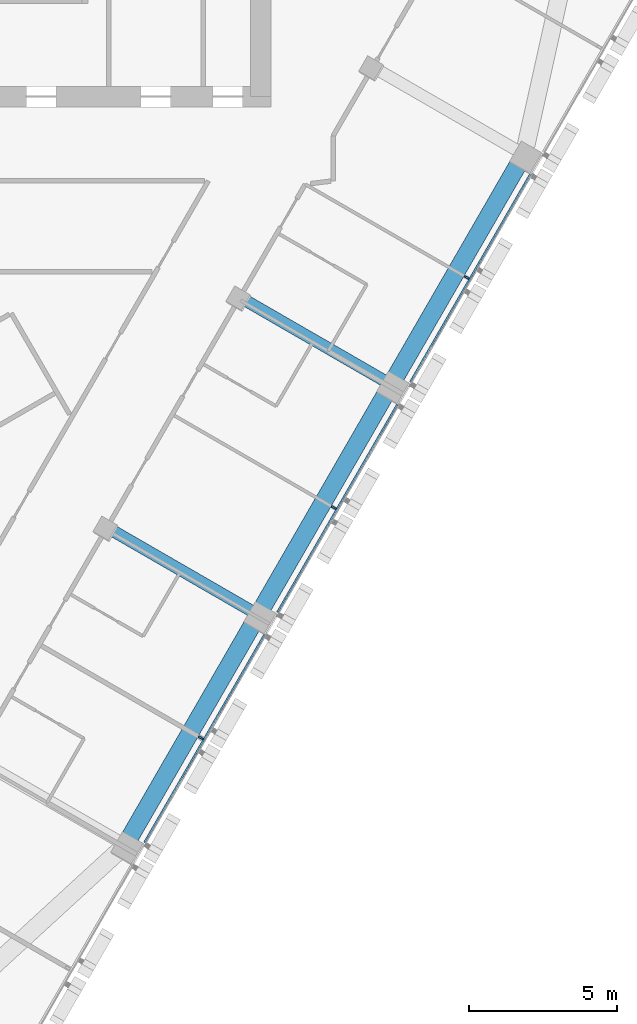
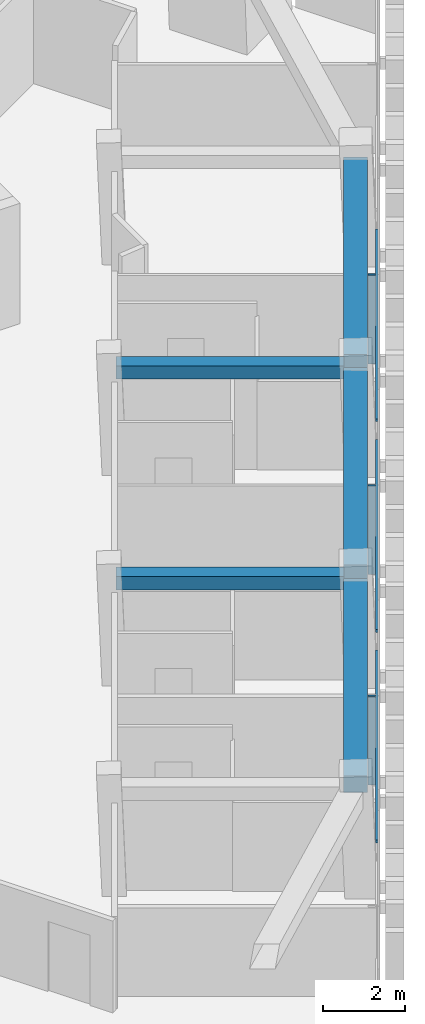
# One storey, part 4 of 15: 6 members, 5 beams, 1 element without a shape of its own.
"""IFC4 building model written with IfcOpenShell, lengths in metres."""

from ifc_helpers import new_model, si_unit, direction, frame, origin, origin_2d, place, context, subcontext, project, spatial, rectangle, extrude, material, layer, layer_set, material_profile, profile_set, type_object, element, aggregate, save


model = new_model("IFC4")

# Units and contexts
model_context = context("Model", 3, precision=1e-05, world=origin(), true_north=direction((0.0, 1.0)))
body_context = subcontext(model_context, "Body", "Model", "MODEL_VIEW")
ifc_project = project(units=[si_unit("LENGTHUNIT", "METRE"), si_unit("AREAUNIT", "SQUARE_METRE"), si_unit("VOLUMEUNIT", "CUBIC_METRE"), si_unit("PLANEANGLEUNIT", "RADIAN"), si_unit("MASSUNIT", "GRAM", prefix="KILO")], contexts=[model_context])

# Site, building, storey
site_placement = place(None, origin())
site = spatial("IfcSite", under=ifc_project, at=site_placement, CompositionType="ELEMENT")
building_placement = place(site_placement, origin())
building = spatial("IfcBuilding", under=site, at=building_placement, Name="Altiplano Prism Tower", CompositionType="ELEMENT")
storey_placement = place(building_placement, frame((0.0, 0.0, 171.0)))
storey = spatial("IfcBuildingStorey", under=building, at=storey_placement, Name="L44", CompositionType="ELEMENT", Elevation=171.0)

# Curtain wall, members
ifc_material_1 = material(Name="Aluminium and glass", Category="aluminium")
ifc_layer = layer(ifc_material_1, 0.280029296875)
ifc_layer_set = layer_set([ifc_layer], Name="Aluminium and glass")
curtain_wall_type = type_object("IfcCurtainWallType", Name="CW1 typical co-living unitised curtain wall", PredefinedType="NOTDEFINED", material=ifc_layer_set)
curtain_wall_placement = place(storey_placement, origin())
curtain_wall = element("IfcCurtainWall", 1, at=curtain_wall_placement, inside=storey, type_object=curtain_wall_type, Name="CW1 curtain wall south-east face L44", PredefinedType="NOTDEFINED")
ifc_material_2 = material(Name="Aluminium", Category="aluminium")
ifc_material_profile_1 = material_profile(ifc_material_2, rectangle(XDim=0.179931640625, YDim=0.06494140625, at=origin_2d()), Name="CW1 mullion 65 x 180")
ifc_profile_set_1 = profile_set([ifc_material_profile_1], Name="Aluminium")
member_type_1 = type_object("IfcMemberType", Name="CW1 mullion 65 x 180", PredefinedType="MULLION", material=ifc_profile_set_1)
member_1_placement = place(storey_placement, frame((95.322509765625, 71.342529296875, 0.0), z_axis=(0.0, 0.0, 1.0), x_axis=(-0.866025408191, 0.499999992367, 0.0)))
member_1 = element("IfcMember", 2, at=member_1_placement, type_object=member_type_1, Name="CW1 mullion", PredefinedType="MULLION", context=body_context, shape_type="SweptSolid", body=[
    extrude(rectangle(XDim=0.179931640625, YDim=0.06494140625, at=origin_2d()), origin(), (0.0, 0.0, 1.0), 2.64990234375),
])
member_2_placement = place(storey_placement, frame((99.822509765625, 79.136962890625, 0.0), z_axis=(0.0, 0.0, 1.0), x_axis=(-0.866025408191, 0.499999992367, 0.0)))
member_2 = element("IfcMember", 3, at=member_2_placement, type_object=member_type_1, Name="CW1 mullion", PredefinedType="MULLION", context=body_context, shape_type="SweptSolid", body=[
    extrude(rectangle(XDim=0.179931640625, YDim=0.06494140625, at=origin_2d()), origin(), (0.0, 0.0, 1.0), 2.64990234375),
])
member_3_placement = place(storey_placement, frame((104.322509765625, 86.93115234375, 0.0), z_axis=(0.0, 0.0, 1.0), x_axis=(-0.866025408191, 0.499999992367, 0.0)))
member_3 = element("IfcMember", 4, at=member_3_placement, type_object=member_type_1, Name="CW1 mullion", PredefinedType="MULLION", context=body_context, shape_type="SweptSolid", body=[
    extrude(rectangle(XDim=0.179931640625, YDim=0.06494140625, at=origin_2d()), origin(), (0.0, 0.0, 1.0), 2.64990234375),
])
ifc_material_profile_2 = material_profile(ifc_material_2, rectangle(XDim=0.06005859375, YDim=0.080078125, at=origin_2d()), Name="CW1 transom 80 x 60")
ifc_profile_set_2 = profile_set([ifc_material_profile_2], Name="Aluminium")
member_type_2 = type_object("IfcMemberType", Name="CW1 transom 80 x 60", PredefinedType="USERDEFINED", material=ifc_profile_set_2)
member_4_placement = place(storey_placement, frame((93.416015625, 67.80078125, 1.10009765625), z_axis=(0.50001308349, 0.866017849896, 0.0), x_axis=(-0.866017849896, 0.50001308349, 0.0)))
member_4 = element("IfcMember", 5, at=member_4_placement, type_object=member_type_2, Name="CW1 transom", ObjectType="TRANSOM", PredefinedType="USERDEFINED", context=body_context, shape_type="SweptSolid", body=[
    extrude(rectangle(XDim=0.06005859375, YDim=0.080078125, at=origin_2d()), origin(), (0.0, 0.0, 1.0), 8.119873046875),
])
member_5_placement = place(storey_placement, frame((97.916015625, 75.594970703125, 1.10009765625), z_axis=(0.50001308349, 0.866017849896, 0.0), x_axis=(-0.866017849896, 0.50001308349, 0.0)))
member_5 = element("IfcMember", 6, at=member_5_placement, type_object=member_type_2, Name="CW1 transom", ObjectType="TRANSOM", PredefinedType="USERDEFINED", context=body_context, shape_type="SweptSolid", body=[
    extrude(rectangle(XDim=0.06005859375, YDim=0.080078125, at=origin_2d()), origin(), (0.0, 0.0, 1.0), 8.119873046875),
])
member_6_placement = place(storey_placement, frame((102.416015625, 83.38916015625, 1.10009765625), z_axis=(0.50001308349, 0.866017849896, 0.0), x_axis=(-0.866017849896, 0.50001308349, 0.0)))
member_6 = element("IfcMember", 7, at=member_6_placement, type_object=member_type_2, Name="CW1 transom", ObjectType="TRANSOM", PredefinedType="USERDEFINED", context=body_context, shape_type="SweptSolid", body=[
    extrude(rectangle(XDim=0.06005859375, YDim=0.080078125, at=origin_2d()), origin(), (0.0, 0.0, 1.0), 8.119873046875),
])
aggregate(curtain_wall, [member_1, member_4, member_2, member_5, member_3, member_6])

# Beams
ifc_material_3 = material(Name="Concrete C60/75", Category="concrete")
ifc_material_profile_3 = material_profile(ifc_material_3, rectangle(XDim=0.60009765625, YDim=0.5, at=origin_2d()), Name="Edge beam 600x500")
ifc_profile_set_3 = profile_set([ifc_material_profile_3], Name="Concrete C60/75")
beam_type_1 = type_object("IfcBeamType", Name="Edge beam 600x500", PredefinedType="SPANDREL", material=ifc_profile_set_3)
for number, where, z_axis, x_axis, name in (
    (8, (92.9072265625, 67.95654296875, 2.89990234375), (0.499993714791, 0.866029032521, 0.0), (-0.866029032521, 0.499993714791, 0.0), "Edge beam P21-P22 L45"),
    (9, (97.4072265625, 75.750732421875, 2.89990234375), (0.499993714791, 0.866029032521, 0.0), (-0.866029032521, 0.499993714791, 0.0), "Edge beam P22-P23 L45"),
    (10, (101.9072265625, 83.544921875, 2.89990234375), (0.499993714791, 0.866029032521, 0.0), (-0.866029032521, 0.499993714791, 0.0), "Edge beam P23-P24 L45"),
):
    element("IfcBeam", number, at=place(storey_placement, frame(where, z_axis=z_axis, x_axis=x_axis)), inside=storey, type_object=beam_type_1, Name=name, PredefinedType="SPANDREL", context=body_context, shape_type="SweptSolid", body=[
        extrude(rectangle(XDim=0.60009765625, YDim=0.5, at=origin_2d()), origin(), (0.0, 0.0, 1.0), 8.43994140625),
    ])
ifc_material_profile_4 = material_profile(ifc_material_3, rectangle(XDim=0.39990234375, YDim=0.39990234375, at=origin_2d()), Name="Tie beam 400x400")
ifc_profile_set_4 = profile_set([ifc_material_profile_4], Name="Concrete C60/75")
beam_type_2 = type_object("IfcBeamType", Name="Tie beam 400x400", PredefinedType="BEAM", material=ifc_profile_set_4)
beam_1_placement = place(storey_placement, frame((92.18359375, 78.443359375, 2.949951171875), z_axis=(0.866011758658, -0.500023633308, 0.0), x_axis=(0.500023633308, 0.866011758658, 0.0)))
element("IfcBeam", 11, at=beam_1_placement, inside=storey, type_object=beam_type_2, Name="Tie beam I22 L45", PredefinedType="BEAM", context=body_context, shape_type="SweptSolid", body=[
    extrude(rectangle(XDim=0.39990234375, YDim=0.39990234375, at=origin_2d()), origin(), (0.0, 0.0, 1.0), 5.590087890625),
])
beam_2_placement = place(storey_placement, frame((96.68359375, 86.237548828125, 2.949951171875), z_axis=(0.866030670444, -0.499990877767, 0.0), x_axis=(0.499990877767, 0.866030670444, 0.0)))
element("IfcBeam", 12, at=beam_2_placement, inside=storey, type_object=beam_type_2, Name="Tie beam I23 L45", PredefinedType="BEAM", context=body_context, shape_type="SweptSolid", body=[
    extrude(rectangle(XDim=0.39990234375, YDim=0.39990234375, at=origin_2d()), origin(), (0.0, 0.0, 1.0), 5.58984375),
])

save(model, "model.ifc")
